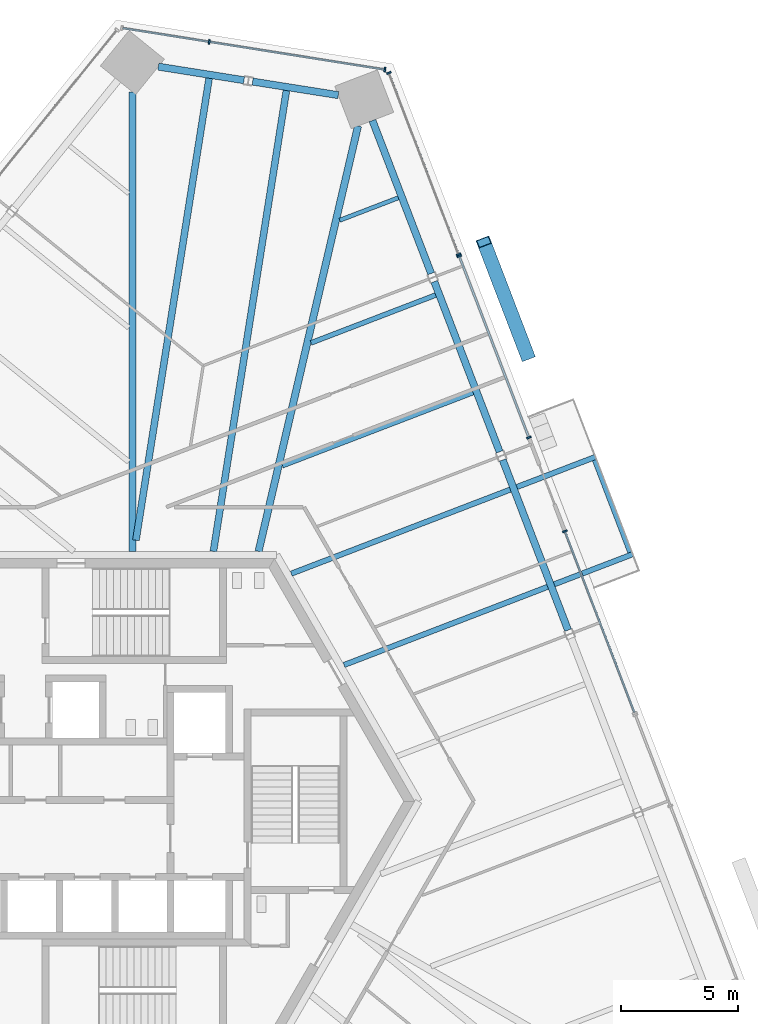
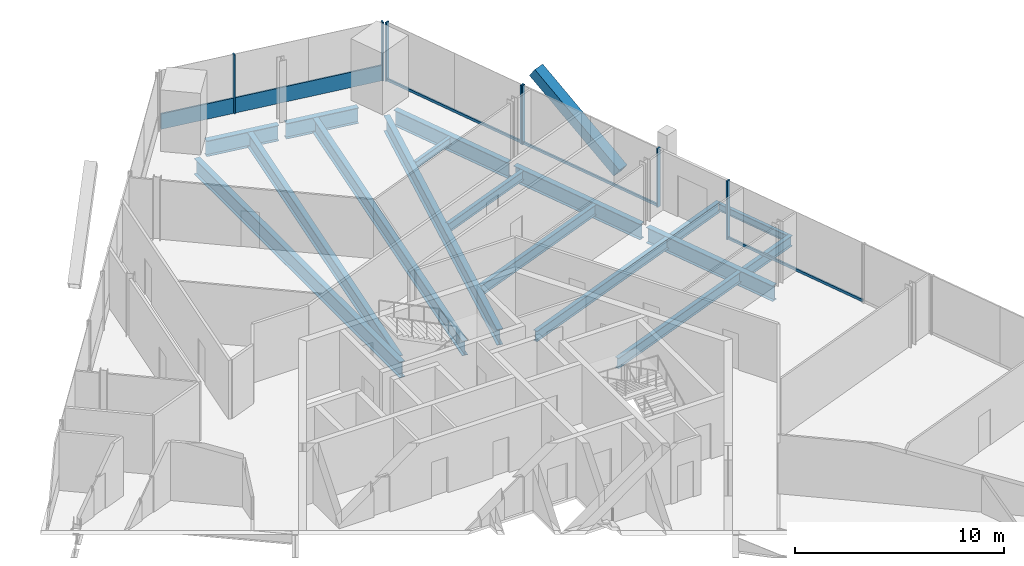
# One storey, part 9 of 19: 17 beams, 13 members, 4 elements without a shape of their own.
"""IFC4 building model written with IfcOpenShell, lengths in metres."""

import ifcopenshell
import ifcopenshell.guid

model = None  # the IFC model being written
_history = None  # IfcOwnerHistory: only IFC2X3 demands one
_inside = {}  # id of a spatial element -> (the spatial element, [elements in it])
_under = {}  # id of a project, library or spatial element -> (it, [spatial elements below it])
_declared = {}  # id of a project -> (the project, [libraries it declares])
_typed = {}  # id of a type object -> (the type object, [elements of that type])
_made_of = {}  # id of a material, layer set ... -> (it, [elements and type objects made of it])


def new_model(schema):
    """Start an empty IFC model of exactly this schema.

    Asked for "IFC4X3", IfcOpenShell would pick the latest addendum, in which some entities
    have other attributes; the version numbers below select the first issue.
    IFC2X3 requires an IfcOwnerHistory on every rooted entity: one is made here for all.
    """
    global model, _history
    if schema == "IFC4X3":
        model = ifcopenshell.file(schema_version=(4, 3, 0, 0))
    else:
        model = ifcopenshell.file(schema=schema)
    _inside.clear()
    _under.clear()
    _declared.clear()
    _typed.clear()
    _made_of.clear()
    _history = None
    if model.schema == "IFC2X3":
        org = make("IfcOrganization", Name="unknown")
        user = make(
            "IfcPersonAndOrganization",
            ThePerson=make("IfcPerson", FamilyName="unknown"),
            TheOrganization=org,
        )
        app = make(
            "IfcApplication",
            ApplicationDeveloper=org,
            Version="unknown",
            ApplicationFullName="unknown",
            ApplicationIdentifier="unknown",
        )
        _history = make(
            "IfcOwnerHistory",
            OwningUser=user,
            OwningApplication=app,
            ChangeAction="ADDED",
            CreationDate=0,
        )
    return model


def make(cls, **values):
    """One entity of the class cls with the attributes given. An attribute that is None is left unset."""
    return model.create_entity(
        cls, **{name: value for name, value in values.items() if value is not None}
    )


def rooted(cls, **values):
    """An entity with a GlobalId (a new one), such as an element, a storey or a relation."""
    return make(cls, GlobalId=ifcopenshell.guid.new(), OwnerHistory=_history, **values)


def si_unit(unit_type, name, prefix=None):
    """IfcSIUnit, for example si_unit("LENGTHUNIT", "METRE", prefix="MILLI")."""
    return make("IfcSIUnit", UnitType=unit_type, Prefix=prefix, Name=name)


def assignment(units):
    """IfcUnitAssignment: the units of a project."""
    return None if units is None else make("IfcUnitAssignment", Units=units)


def point(xyz):
    """IfcCartesianPoint."""
    return None if xyz is None else make("IfcCartesianPoint", Coordinates=xyz)


def direction(xyz):
    """IfcDirection."""
    return None if xyz is None else make("IfcDirection", DirectionRatios=xyz)


def frame(location, z_axis=None, x_axis=None):
    """IfcAxis2Placement3D, a coordinate frame: its origin and axes. An axis left out is left unset."""
    return make(
        "IfcAxis2Placement3D",
        Location=point(location),
        Axis=direction(z_axis),
        RefDirection=direction(x_axis),
    )


def frame_2d(location, x_axis=None):
    """IfcAxis2Placement2D, a coordinate frame in the plane: its origin and x axis."""
    return make(
        "IfcAxis2Placement2D", Location=point(location), RefDirection=direction(x_axis)
    )


def origin():
    """The frame at (0, 0, 0) with its axes left unset."""
    return frame((0.0, 0.0, 0.0))


def origin_2d():
    """The frame at (0, 0) in the plane with its x axis left unset."""
    return frame_2d((0.0, 0.0))


def place(relative_to, where):
    """IfcLocalPlacement: puts the frame where relative to a parent placement (None: the world)."""
    return make(
        "IfcLocalPlacement", PlacementRelTo=relative_to, RelativePlacement=where
    )


def context(
    kind, dimensions, precision=None, world=None, true_north=None, identifier=None
):
    """IfcGeometricRepresentationContext, for example the 3D "Model" context."""
    return make(
        "IfcGeometricRepresentationContext",
        ContextIdentifier=identifier,
        ContextType=kind,
        CoordinateSpaceDimension=dimensions,
        Precision=precision,
        WorldCoordinateSystem=world,
        TrueNorth=true_north,
    )


def subcontext(parent, identifier, kind, view, scale=None):
    """IfcGeometricRepresentationSubContext, for example "Body" below "Model"."""
    return make(
        "IfcGeometricRepresentationSubContext",
        ContextIdentifier=identifier,
        ContextType=kind,
        ParentContext=parent,
        TargetScale=scale,
        TargetView=view,
    )


def project(units=None, contexts=None):
    """IfcProject with its units and contexts."""
    return rooted(
        "IfcProject",
        Name="project",
        RepresentationContexts=contexts,
        UnitsInContext=assignment(units),
    )


def spatial(cls, under=None, at=None, **own):
    """A site, building, storey or space (cls), placed at a placement, below another one or the project."""
    s = rooted(cls, ObjectPlacement=at, **own)
    if under is not None:
        _under.setdefault(under.id(), (under, []))[1].append(s)
    return s


def profile(cls, at=None, kind="AREA", **sizes):
    """A parametric profile (cls). Its sizes go by their IFC names, for example OverallWidth=200.0."""
    return make(cls, ProfileType=kind, Position=at, **sizes)


def rectangle(**sizes):
    """IfcRectangleProfileDef."""
    return profile("IfcRectangleProfileDef", **sizes)


def hollow_rectangle(**sizes):
    """IfcRectangleHollowProfileDef."""
    return profile("IfcRectangleHollowProfileDef", **sizes)


def i_section(**sizes):
    """IfcIShapeProfileDef."""
    return profile("IfcIShapeProfileDef", **sizes)


def extrude(swept, where, along, depth):
    """IfcExtrudedAreaSolid: the profile swept, set in the frame where, extruded along a direction by depth."""
    return make(
        "IfcExtrudedAreaSolid",
        SweptArea=swept,
        Position=where,
        ExtrudedDirection=direction(along),
        Depth=depth,
    )


def shape(context_of_items, identifier, shape_type, items):
    """IfcShapeRepresentation: the items that make up one representation, for example the "Body"."""
    return make(
        "IfcShapeRepresentation",
        ContextOfItems=context_of_items,
        RepresentationIdentifier=identifier,
        RepresentationType=shape_type,
        Items=items,
    )


def source(mapping_origin, context_of_items, identifier, shape_type, items):
    """IfcRepresentationMap: a shape defined once, which mapped items show again and again."""
    return make(
        "IfcRepresentationMap",
        MappingOrigin=mapping_origin,
        MappedRepresentation=shape(context_of_items, identifier, shape_type, items),
    )


def transform(
    local_origin,
    x_axis=None,
    y_axis=None,
    z_axis=None,
    scale=None,
    scale2=None,
    scale3=None,
    uniform=True,
):
    """IfcCartesianTransformationOperator3D, or its non-uniform kind. x_axis, y_axis, z_axis: its Axis1, 2, 3."""
    if uniform:
        return make(
            "IfcCartesianTransformationOperator3D",
            Axis1=direction(x_axis),
            Axis2=direction(y_axis),
            LocalOrigin=point(local_origin),
            Scale=scale,
            Axis3=direction(z_axis),
        )
    return make(
        "IfcCartesianTransformationOperator3DnonUniform",
        Axis1=direction(x_axis),
        Axis2=direction(y_axis),
        LocalOrigin=point(local_origin),
        Scale=scale,
        Axis3=direction(z_axis),
        Scale2=scale2,
        Scale3=scale3,
    )


def mapped(mapping_source, mapping_target):
    """IfcMappedItem: shows the shape of a source again, moved by a transform."""
    return make(
        "IfcMappedItem", MappingSource=mapping_source, MappingTarget=mapping_target
    )


def material(Name=None, Category=None):
    """IfcMaterial."""
    return make("IfcMaterial", Name=Name, Category=Category)


def material_profile(
    of_material, cross_section, Name=None, Category=None, Priority=None
):
    """IfcMaterialProfile: a cross section and its material."""
    return make(
        "IfcMaterialProfile",
        Name=Name,
        Material=of_material,
        Profile=cross_section,
        Priority=Priority,
        Category=Category,
    )


def profile_set(profiles, Name=None, composite=None):
    """IfcMaterialProfileSet."""
    return make(
        "IfcMaterialProfileSet",
        Name=Name,
        MaterialProfiles=profiles,
        CompositeProfile=composite,
    )


def made_of(thing, what):
    """Note that an element or type object is made of a material, layer set ...; save() writes the relation."""
    if what is not None:
        _made_of.setdefault(what.id(), (what, []))[1].append(thing)
    return thing


def type_object(cls, material=None, **own):
    """A type object (cls), such as IfcWallType, which elements share."""
    return made_of(rooted(cls, **own), material)


def element(
    cls,
    number,
    at=None,
    inside=None,
    cuts=None,
    type_object=None,
    material=None,
    context=None,
    identifier="Body",
    shape_type=None,
    held_by="IfcProductDefinitionShape",
    body=None,
    shapes=None,
    **own,
):
    """One element of the class cls, such as IfcWall. Its Tag is "e" and its number.

    at: its placement. inside: the storey or other place that contains it. cuts: it is an
    opening in that element (IfcRelVoidsElement). A single representation is given by context,
    identifier, shape_type and body (its items); several are given by shapes. held_by: the class
    of the entity that holds the representations. save() writes the other relations.
    """
    e = rooted(cls, Tag="e%d" % number, ObjectPlacement=at, **own)
    if body is not None:
        shapes = [shape(context, identifier, shape_type, body)]
    if shapes is not None:
        e.Representation = make(held_by, Representations=shapes)
    if inside is not None:
        _inside.setdefault(inside.id(), (inside, []))[1].append(e)
    if cuts is not None:
        rooted(
            "IfcRelVoidsElement", RelatingBuildingElement=cuts, RelatedOpeningElement=e
        )
    if type_object is not None:
        _typed.setdefault(type_object.id(), (type_object, []))[1].append(e)
    return made_of(e, material)


def aggregate(whole, parts):
    """IfcRelAggregates: a whole, such as a stair, and the parts it consists of."""
    return rooted("IfcRelAggregates", RelatingObject=whole, RelatedObjects=parts)


def save(model, path):
    """Write the relations noted so far, then the file.

    IfcRelAggregates (storeys below a building ...), IfcRelContainedInSpatialStructure (elements
    in a storey), IfcRelDefinesByType, IfcRelAssociatesMaterial and IfcRelDeclares: one each for
    every whole, place, type object, material and project.
    """
    for whole, parts in _under.values():
        aggregate(whole, parts)
    for where, things in _inside.values():
        rooted(
            "IfcRelContainedInSpatialStructure",
            RelatedElements=things,
            RelatingStructure=where,
        )
    for kind, things in _typed.values():
        rooted("IfcRelDefinesByType", RelatedObjects=things, RelatingType=kind)
    for what, things in _made_of.values():
        rooted("IfcRelAssociatesMaterial", RelatedObjects=things, RelatingMaterial=what)
    for by, libraries in _declared.values():
        rooted("IfcRelDeclares", RelatingContext=by, RelatedDefinitions=libraries)
    model.write(path)


model = new_model("IFC4")

# Units and contexts
model_context = context("Model", 3, precision=1e-05, world=origin(), true_north=direction((0.0, 1.0)))
body_context = subcontext(model_context, "Body", "Model", "MODEL_VIEW")
ifc_project = project(units=[si_unit("LENGTHUNIT", "METRE"), si_unit("AREAUNIT", "SQUARE_METRE"), si_unit("VOLUMEUNIT", "CUBIC_METRE"), si_unit("PLANEANGLEUNIT", "RADIAN"), si_unit("MASSUNIT", "GRAM", prefix="KILO")], contexts=[model_context])

# Site, building, storey
site_placement = place(None, origin())
site = spatial("IfcSite", under=ifc_project, at=site_placement, CompositionType="ELEMENT")
building_placement = place(site_placement, origin())
building = spatial("IfcBuilding", under=site, at=building_placement, Name="Triune Harvest Tower", CompositionType="ELEMENT")
storey_placement = place(building_placement, frame((0.0, 0.0, 164.10009765625)))
storey = spatial("IfcBuildingStorey", under=building, at=storey_placement, Name="L42", CompositionType="ELEMENT", Elevation=164.10009765625)

# Beams
ifc_material_1 = material(Name="Steel ASTM A992 Gr 50", Category="steel")
ifc_material_profile_1 = material_profile(ifc_material_1, i_section(OverallWidth=0.3046875, OverallDepth=0.914306640625, WebThickness=0.0166015625, FlangeThickness=0.02587890625, at=origin_2d()), Name="W36x160")
ifc_profile_set_1 = profile_set([ifc_material_profile_1], Name="Steel ASTM A992 Gr 50")
beam_type_1 = type_object("IfcBeamType", Name="SB-1 Spandrel beam W36x160", PredefinedType="SPANDREL", material=ifc_profile_set_1)
shared_shape_1 = source(origin(), body_context, "Body", "SweptSolid", [
    extrude(i_section(OverallWidth=0.3046875, OverallDepth=0.914306640625, WebThickness=0.0166015625, FlangeThickness=0.02587890625, at=origin_2d()), origin(), (0.0, 0.0, 1.0), 7.013427734375),
])
beam_1_placement = place(storey_placement, frame((12.709716796875, 22.592041015625, -0.6171875), z_axis=(-0.358372513984, 0.93357867436, 0.0), x_axis=(-0.93357867436, -0.358372513984, 0.0)))
element("IfcBeam", 1, at=beam_1_placement, inside=storey, type_object=beam_type_1, Name="beam/L42/SB6", PredefinedType="SPANDREL", context=body_context, shape_type="MappedRepresentation", body=[
    mapped(shared_shape_1, transform((0.0, 0.0, 0.0), scale=1.0)),
])
shared_shape_2 = source(origin(), body_context, "Body", "SweptSolid", [
    extrude(i_section(OverallWidth=0.3046875, OverallDepth=0.914306640625, WebThickness=0.0166015625, FlangeThickness=0.02587890625, at=origin_2d()), origin(), (0.0, 0.0, 1.0), 7.8017578125),
])
for number, where, z_axis, x_axis, name in (
    (2, (18.569091796875, 7.327880859375, -0.6171875), (-0.358372974677, 0.933578497514, 0.0), (-0.933578497514, -0.358372974677, 0.0), "beam/L42/SB4"),
    (3, (15.639404296875, 14.9599609375, -0.6171875), (-0.358372974677, 0.933578497514, 0.0), (-0.933578497514, -0.358372974677, 0.0), "beam/L42/SB5"),
):
    element("IfcBeam", number, at=place(storey_placement, frame(where, z_axis=z_axis, x_axis=x_axis)), inside=storey, type_object=beam_type_1, Name=name, PredefinedType="SPANDREL", context=body_context, shape_type="MappedRepresentation", body=[
        mapped(shared_shape_2, transform((0.0, 0.0, 0.0), scale=1.0)),
    ])
shared_shape_3 = source(origin(), body_context, "Body", "SweptSolid", [
    extrude(i_section(OverallWidth=0.3046875, OverallDepth=0.914306640625, WebThickness=0.0166015625, FlangeThickness=0.02587890625, at=origin_2d()), origin(), (0.0, 0.0, 1.0), 3.71240234375),
])
for number, where, z_axis, x_axis, name in (
    (4, (8.735107421875, 30.225830078125, -0.6171875), (-0.987686063537, 0.156448841145, 0.0), (-0.156448841145, -0.987686063537, 0.0), "beam/L42/SB7"),
    (5, (4.699462890625, 30.864990234375, -0.6171875), (-0.987686063537, 0.156448841145, 0.0), (-0.156448841145, -0.987686063537, 0.0), "beam/L42/SB8"),
):
    element("IfcBeam", number, at=place(storey_placement, frame(where, z_axis=z_axis, x_axis=x_axis)), inside=storey, type_object=beam_type_1, Name=name, PredefinedType="SPANDREL", context=body_context, shape_type="MappedRepresentation", body=[
        mapped(shared_shape_3, transform((0.0, 0.0, 0.0), scale=1.0)),
    ])
ifc_material_2 = material(Name="Steel ASTM A992 Gr 50", Category="steel")
ifc_material_profile_2 = material_profile(ifc_material_2, i_section(OverallWidth=0.307373046875, OverallDepth=0.922119140625, WebThickness=0.018310546875, FlangeThickness=0.030029296875, at=origin_2d()), Name="W36x182")
ifc_profile_set_2 = profile_set([ifc_material_profile_2], Name="Steel ASTM A992 Gr 50")
beam_type_2 = type_object("IfcBeamType", Name="HG-2 Hip girder W36x182", PredefinedType="BEAM", material=ifc_profile_set_2)
shared_shape_4 = source(origin(), body_context, "Body", "SweptSolid", [
    extrude(i_section(OverallWidth=0.307373046875, OverallDepth=0.922119140625, WebThickness=0.018310546875, FlangeThickness=0.030029296875, at=origin_2d()), origin(), (0.0, 0.0, 1.0), 18.6962890625),
])
beam_2_placement = place(storey_placement, frame((9.578857421875, 28.902587890625, -0.62109375), z_axis=(-0.227605246905, -0.973753486043, 0.0), x_axis=(0.973753486043, -0.227605246905, 0.0)))
element("IfcBeam", 6, at=beam_2_placement, inside=storey, type_object=beam_type_2, Name="beam/L42/HG3", PredefinedType="BEAM", context=body_context, shape_type="MappedRepresentation", body=[
    mapped(shared_shape_4, transform((0.0, 0.0, 0.0), scale=1.0)),
])
shared_shape_5 = source(origin(), body_context, "Body", "SweptSolid", [
    extrude(i_section(OverallWidth=0.307373046875, OverallDepth=0.922119140625, WebThickness=0.018310546875, FlangeThickness=0.030029296875, at=origin_2d()), origin(), (0.0, 0.0, 1.0), 19.670166015625),
])
beam_3_placement = place(storey_placement, frame((-0.0791015625, 30.3671875, -0.62109375), z_axis=(0.0, -1.0, 0.0), x_axis=(1.0, 0.0, 0.0)))
element("IfcBeam", 7, at=beam_3_placement, inside=storey, type_object=beam_type_2, Name="beam/L42/HG4", PredefinedType="BEAM", context=body_context, shape_type="MappedRepresentation", body=[
    mapped(shared_shape_5, transform((0.0, 0.0, 0.0), scale=1.0)),
])
ifc_material_3 = material(Name="Steel ASTM A992 Gr 50", Category="steel")
ifc_material_profile_3 = material_profile(ifc_material_3, i_section(OverallWidth=0.22900390625, OverallDepth=0.612060546875, WebThickness=0.011962890625, FlangeThickness=0.01953125, at=origin_2d()), Name="W24x84")
ifc_profile_set_3 = profile_set([ifc_material_profile_3], Name="Steel ASTM A992 Gr 50")
beam_type_3 = type_object("IfcBeamType", Name="JT-3 Floor joist W24x84", PredefinedType="JOIST", material=ifc_profile_set_3)
shared_shape_6 = source(origin(), body_context, "Body", "SweptSolid", [
    extrude(i_section(OverallWidth=0.22900390625, OverallDepth=0.612060546875, WebThickness=0.011962890625, FlangeThickness=0.01953125, at=origin_2d()), origin(), (0.0, 0.0, 1.0), 9.33203125),
])
beam_4_placement = place(storey_placement, frame((17.694580078125, 9.180419921875, -0.46630859375), z_axis=(-0.933582072806, -0.358363660734, 0.0), x_axis=(0.358363660734, -0.933582072806, 0.0)))
element("IfcBeam", 8, at=beam_4_placement, inside=storey, type_object=beam_type_3, Name="beam/L42/JT6", PredefinedType="JOIST", context=body_context, shape_type="MappedRepresentation", body=[
    mapped(shared_shape_6, transform((0.0, 0.0, 0.0), scale=1.0)),
])
shared_shape_7 = source(origin(), body_context, "Body", "SweptSolid", [
    extrude(i_section(OverallWidth=0.22900390625, OverallDepth=0.612060546875, WebThickness=0.011962890625, FlangeThickness=0.01953125, at=origin_2d()), origin(), (0.0, 0.0, 1.0), 10.038330078125),
])
beam_5_placement = place(storey_placement, frame((16.0966796875, 13.343505859375, -0.46630859375), z_axis=(-0.933580465952, -0.358367846762, 0.0), x_axis=(0.358367846762, -0.933580465952, 0.0)))
element("IfcBeam", 9, at=beam_5_placement, inside=storey, type_object=beam_type_3, Name="beam/L42/JT7", PredefinedType="JOIST", context=body_context, shape_type="MappedRepresentation", body=[
    mapped(shared_shape_7, transform((0.0, 0.0, 0.0), scale=1.0)),
])
shared_shape_8 = source(origin(), body_context, "Body", "SweptSolid", [
    extrude(i_section(OverallWidth=0.22900390625, OverallDepth=0.612060546875, WebThickness=0.011962890625, FlangeThickness=0.01953125, at=origin_2d()), origin(), (0.0, 0.0, 1.0), 8.738037109375),
])
beam_6_placement = place(storey_placement, frame((14.498779296875, 17.50634765625, -0.46630859375), z_axis=(-0.933584472757, -0.358357408499, 0.0), x_axis=(0.358357408499, -0.933584472757, 0.0)))
element("IfcBeam", 10, at=beam_6_placement, inside=storey, type_object=beam_type_3, Name="beam/L42/JT8", PredefinedType="JOIST", context=body_context, shape_type="MappedRepresentation", body=[
    mapped(shared_shape_8, transform((0.0, 0.0, 0.0), scale=1.0)),
])
ifc_material_4 = material(Name="Steel ASTM A992 Gr 50", Category="steel")
ifc_material_profile_4 = material_profile(ifc_material_4, i_section(OverallWidth=0.2099609375, OverallDepth=0.535888671875, WebThickness=0.010986328125, FlangeThickness=0.017333984375, at=origin_2d()), Name="W21x68")
ifc_profile_set_4 = profile_set([ifc_material_profile_4], Name="Steel ASTM A992 Gr 50")
beam_type_4 = type_object("IfcBeamType", Name="JT-2 Floor joist W21x68", PredefinedType="JOIST", material=ifc_profile_set_4)
shared_shape_9 = source(origin(), body_context, "Body", "SweptSolid", [
    extrude(i_section(OverallWidth=0.2099609375, OverallDepth=0.535888671875, WebThickness=0.010986328125, FlangeThickness=0.017333984375, at=origin_2d()), origin(), (0.0, 0.0, 1.0), 5.712890625),
])
beam_7_placement = place(storey_placement, frame((12.90087890625, 21.669189453125, -0.427978515625), z_axis=(-0.933593203906, -0.358334661483, 0.0), x_axis=(0.358334661483, -0.933593203906, 0.0)))
element("IfcBeam", 11, at=beam_7_placement, inside=storey, type_object=beam_type_4, Name="beam/L42/JT9", PredefinedType="JOIST", context=body_context, shape_type="MappedRepresentation", body=[
    mapped(shared_shape_9, transform((0.0, 0.0, 0.0), scale=1.0)),
])
ifc_material_5 = material(Name="Steel ASTM A992 Gr 50", Category="steel")
ifc_material_profile_5 = material_profile(ifc_material_5, i_section(OverallWidth=0.180908203125, OverallDepth=0.41650390625, WebThickness=0.010986328125, FlangeThickness=0.01806640625, at=origin_2d()), Name="W16x57")
ifc_profile_set_5 = profile_set([ifc_material_profile_5], Name="Steel ASTM A992 Gr 50")
beam_type_5 = type_object("IfcBeamType", Name="JT-1 Floor joist W16x57", PredefinedType="JOIST", material=ifc_profile_set_5)
shared_shape_10 = source(origin(), body_context, "Body", "SweptSolid", [
    extrude(i_section(OverallWidth=0.180908203125, OverallDepth=0.41650390625, WebThickness=0.010986328125, FlangeThickness=0.01806640625, at=origin_2d()), origin(), (0.0, 0.0, 1.0), 2.687255859375),
])
beam_8_placement = place(storey_placement, frame((11.302734375, 25.832275390625, -0.368408203125), z_axis=(-0.933567867424, -0.358400665336, 0.0), x_axis=(0.358400665336, -0.933567867424, 0.0)))
element("IfcBeam", 12, at=beam_8_placement, inside=storey, type_object=beam_type_5, Name="beam/L42/JT10", PredefinedType="JOIST", context=body_context, shape_type="MappedRepresentation", body=[
    mapped(shared_shape_10, transform((0.0, 0.0, 0.0), scale=1.0)),
])
ifc_material_6 = material(Name="Steel ASTM A992 Gr 50", Category="steel")
ifc_material_profile_6 = material_profile(ifc_material_6, i_section(OverallWidth=0.2919921875, OverallDepth=0.8583984375, WebThickness=0.01708984375, FlangeThickness=0.031005859375, at=origin_2d()), Name="W33x169")
ifc_profile_set_6 = profile_set([ifc_material_profile_6], Name="Steel ASTM A992 Gr 50")
beam_type_6 = type_object("IfcBeamType", Name="JT-7 Floor joist W33x169", PredefinedType="JOIST", material=ifc_profile_set_6)
shared_shape_11 = source(origin(), body_context, "Body", "SweptSolid", [
    extrude(i_section(OverallWidth=0.2919921875, OverallDepth=0.8583984375, WebThickness=0.01708984375, FlangeThickness=0.031005859375, at=origin_2d()), origin(), (0.0, 0.0, 1.0), 19.97216796875),
])
beam_9_placement = place(storey_placement, frame((6.514404296875, 30.42333984375, -0.58935546875), z_axis=(-0.15643083518, -0.987688915502, 0.0), x_axis=(0.987688915502, -0.15643083518, 0.0)))
element("IfcBeam", 13, at=beam_9_placement, inside=storey, type_object=beam_type_6, Name="beam/L42/JT11", PredefinedType="JOIST", context=body_context, shape_type="MappedRepresentation", body=[
    mapped(shared_shape_11, transform((0.0, 0.0, 0.0), scale=1.0)),
])
shared_shape_12 = source(origin(), body_context, "Body", "SweptSolid", [
    extrude(i_section(OverallWidth=0.2919921875, OverallDepth=0.8583984375, WebThickness=0.01708984375, FlangeThickness=0.031005859375, at=origin_2d()), origin(), (0.0, 0.0, 1.0), 20.016845703125),
])
beam_10_placement = place(storey_placement, frame((3.205810546875, 30.947509765625, -0.58935546875), z_axis=(-0.156434798458, -0.987688287787, 0.0), x_axis=(0.987688287787, -0.156434798458, 0.0)))
element("IfcBeam", 14, at=beam_10_placement, inside=storey, type_object=beam_type_6, Name="beam/L42/JT12", PredefinedType="JOIST", context=body_context, shape_type="MappedRepresentation", body=[
    mapped(shared_shape_12, transform((0.0, 0.0, 0.0), scale=1.0)),
])

# Member
ifc_material_7 = material(Name="Steel ASTM A572 Gr 50", Category="steel")
ifc_material_profile_7 = material_profile(ifc_material_7, hollow_rectangle(XDim=0.60009765625, YDim=0.60009765625, WallThickness=0.0400390625, at=origin_2d()), Name="Box 600x600x40")
ifc_profile_set_7 = profile_set([ifc_material_profile_7], Name="Steel ASTM A572 Gr 50")
member_type_1 = type_object("IfcMemberType", Name="BR-2 Brace Box 600x600x40", PredefinedType="BRACE", material=ifc_profile_set_7)
shared_shape_13 = source(origin(), body_context, "Body", "SweptSolid", [
    extrude(hollow_rectangle(XDim=0.60009765625, YDim=0.60009765625, WallThickness=0.0400390625, at=origin_2d()), origin(), (0.0, 0.0, 1.0), 6.328857421875),
])
member_1_placement = place(storey_placement, frame((16.829833984375, 19.082763671875, 0.0), z_axis=(-0.294756015592, 0.767846942854, 0.568796944104), x_axis=(-0.933577501812, -0.358375568518, 0.0)))
element("IfcMember", 15, at=member_1_placement, inside=storey, type_object=member_type_1, Name="brace/B4-F1/d1/8", PredefinedType="BRACE", context=body_context, shape_type="MappedRepresentation", body=[
    mapped(shared_shape_13, transform((0.0, 0.0, 0.0), scale=1.0)),
])

# Curtain wall, members
ifc_material_8 = material(Name="Aluminium bronze anodised", Category="aluminium")
curtain_wall_type_1 = type_object("IfcCurtainWallType", Name="CW-1 Tower stick curtain wall", PredefinedType="NOTDEFINED", material=ifc_material_8)
curtain_wall_1_placement = place(storey_placement, origin())
curtain_wall_1 = element("IfcCurtainWall", 16, at=curtain_wall_1_placement, inside=storey, type_object=curtain_wall_type_1, Name="CW-1 B4-F2 L42 run 1")
ifc_material_9 = material(Name="Aluminium bronze anodised", Category="aluminium")
ifc_material_profile_8 = material_profile(ifc_material_9, rectangle(XDim=0.199951171875, YDim=0.074951171875, at=origin_2d()), Name="MU-1 mullion 75 x 200")
ifc_profile_set_8 = profile_set([ifc_material_profile_8], Name="Aluminium bronze anodised")
member_type_2 = type_object("IfcMemberType", Name="MU-1 mullion 75 x 200", PredefinedType="MULLION", material=ifc_profile_set_8)
shared_shape_14 = source(origin(), body_context, "Body", "SweptSolid", [
    extrude(rectangle(XDim=0.199951171875, YDim=0.074951171875, at=origin_2d()), origin(), (0.0, 0.0, 1.0), 3.43994140625),
])
member_2_placement = place(storey_placement, frame((10.730224609375, 31.31591796875, 0.0), z_axis=(0.0, 0.0, 1.0), x_axis=(-0.156432728322, -0.987688615663, 0.0)))
member_2 = element("IfcMember", 17, at=member_2_placement, type_object=member_type_2, Name="CW-1 mullion B4-F2 1.1", PredefinedType="MULLION", context=body_context, shape_type="MappedRepresentation", body=[
    mapped(shared_shape_14, transform((0.0, 0.0, 0.0), scale=1.0)),
])
member_3_placement = place(storey_placement, frame((3.21240234375, 32.506591796875, 0.0), z_axis=(0.0, 0.0, 1.0), x_axis=(-0.156432728322, -0.987688615663, 0.0)))
member_3 = element("IfcMember", 18, at=member_3_placement, type_object=member_type_2, Name="CW-1 mullion B4-F2 1.3", PredefinedType="MULLION", context=body_context, shape_type="MappedRepresentation", body=[
    mapped(shared_shape_14, transform((0.0, 0.0, 0.0), scale=1.0)),
])

# Curtain wall, member
ifc_material_10 = material(Name="Aluminium bronze anodised", Category="aluminium")
curtain_wall_type_2 = type_object("IfcCurtainWallType", Name="CW-6 Balcony window wall", PredefinedType="NOTDEFINED", material=ifc_material_10)
curtain_wall_2_placement = place(storey_placement, origin())
curtain_wall_2 = element("IfcCurtainWall", 19, at=curtain_wall_2_placement, inside=storey, type_object=curtain_wall_type_2, Name="CW-6 B4-F1 L42 run 2001")
ifc_material_11 = material(Name="Aluminium bronze anodised", Category="aluminium")
ifc_material_profile_9 = material_profile(ifc_material_11, rectangle(XDim=0.199951171875, YDim=0.074951171875, at=origin_2d()), Name="MU-6 mullion 75 x 200")
ifc_profile_set_9 = profile_set([ifc_material_profile_9], Name="Aluminium bronze anodised")
member_type_3 = type_object("IfcMemberType", Name="MU-6 mullion 75 x 200", PredefinedType="MULLION", material=ifc_profile_set_9)
shared_shape_15 = source(origin(), body_context, "Body", "SweptSolid", [
    extrude(rectangle(XDim=0.199951171875, YDim=0.074951171875, at=origin_2d()), origin(), (0.0, 0.0, 1.0), 3.43994140625),
])
member_4_placement = place(storey_placement, frame((18.433349609375, 11.55712890625, 0.0), z_axis=(0.0, 0.0, 1.0), x_axis=(-0.933578925755, -0.358371859088, 0.0)))
member_4 = element("IfcMember", 20, at=member_4_placement, type_object=member_type_3, Name="CW-6 mullion B4-F1 2001.3", PredefinedType="MULLION", context=body_context, shape_type="MappedRepresentation", body=[
    mapped(shared_shape_15, transform((0.0, 0.0, 0.0), scale=1.0)),
])

# Curtain wall, members
ifc_material_12 = material(Name="Aluminium bronze anodised", Category="aluminium")
curtain_wall_type_3 = type_object("IfcCurtainWallType", Name="CW-10 Balcony window wall with insulated spandrel infill", PredefinedType="NOTDEFINED", material=ifc_material_12)
curtain_wall_3_placement = place(storey_placement, origin())
curtain_wall_3 = element("IfcCurtainWall", 21, at=curtain_wall_3_placement, inside=storey, type_object=curtain_wall_type_3, Name="CW-10 B4-F1 L42 run 2")
member_5_placement = place(storey_placement, frame((16.8935546875, 15.56787109375, 0.0), z_axis=(0.0, 0.0, 1.0), x_axis=(-0.93358152986, -0.358365075175, 0.0)))
member_5 = element("IfcMember", 22, at=member_5_placement, type_object=member_type_3, Name="CW-10 mullion B4-F1 2.1", PredefinedType="MULLION", context=body_context, shape_type="MappedRepresentation", body=[
    mapped(shared_shape_15, transform((0.0, 0.0, 0.0), scale=1.0)),
])
member_6_placement = place(storey_placement, frame((13.9111328125, 23.33740234375, 0.0), z_axis=(0.0, 0.0, 1.0), x_axis=(-0.93358152986, -0.358365075175, 0.0)))
member_6 = element("IfcMember", 23, at=member_6_placement, type_object=member_type_3, Name="CW-10 mullion B4-F1 2.3", PredefinedType="MULLION", context=body_context, shape_type="MappedRepresentation", body=[
    mapped(shared_shape_15, transform((0.0, 0.0, 0.0), scale=1.0)),
])

curtain_wall_4_placement = place(storey_placement, origin())
curtain_wall_4 = element("IfcCurtainWall", 24, at=curtain_wall_4_placement, inside=storey, type_object=curtain_wall_type_2, Name="CW-6 B4-F1 L42 run 1002")
member_7_placement = place(storey_placement, frame((13.88427734375, 23.407470703125, 0.0), z_axis=(0.0, 0.0, 1.0), x_axis=(-0.933578307595, -0.358373469426, 0.0)))
member_7 = element("IfcMember", 25, at=member_7_placement, type_object=member_type_3, Name="CW-6 mullion B4-F1 1002.1", PredefinedType="MULLION", context=body_context, shape_type="MappedRepresentation", body=[
    mapped(shared_shape_15, transform((0.0, 0.0, 0.0), scale=1.0)),
])
member_8_placement = place(storey_placement, frame((10.90185546875, 31.177001953125, 0.0), z_axis=(0.0, 0.0, 1.0), x_axis=(-0.933578307595, -0.358373469426, 0.0)))
member_8 = element("IfcMember", 26, at=member_8_placement, type_object=member_type_3, Name="CW-6 mullion B4-F1 1002.3", PredefinedType="MULLION", context=body_context, shape_type="MappedRepresentation", body=[
    mapped(shared_shape_15, transform((0.0, 0.0, 0.0), scale=1.0)),
])

# Beams
ifc_material_13 = material(Name="Steel ASTM A992 Gr 50", Category="steel")
ifc_material_profile_10 = material_profile(ifc_material_13, i_section(OverallWidth=0.22900390625, OverallDepth=0.612060546875, WebThickness=0.011962890625, FlangeThickness=0.01953125, at=origin_2d()), Name="W24x84")
ifc_profile_set_10 = profile_set([ifc_material_profile_10], Name="Steel ASTM A992 Gr 50")
beam_type_7 = type_object("IfcBeamType", Name="BJ-3 Balcony cantilever joist W24x84", PredefinedType="JOIST", material=ifc_profile_set_10)
shared_shape_16 = source(origin(), body_context, "Body", "SweptSolid", [
    extrude(i_section(OverallWidth=0.22900390625, OverallDepth=0.612060546875, WebThickness=0.011962890625, FlangeThickness=0.01953125, at=origin_2d()), origin(), (0.0, 0.0, 1.0), 3.59765625),
])
beam_11_placement = place(storey_placement, frame((17.979248046875, 9.289794921875, -0.46630859375), z_axis=(0.933576283592, 0.358378741997, 0.0), x_axis=(-0.358378741997, 0.933576283592, 0.0)))
element("IfcBeam", 27, at=beam_11_placement, inside=storey, type_object=beam_type_7, Name="Balcony cantilever joist B4-F1 L42.8b", PredefinedType="JOIST", context=body_context, shape_type="MappedRepresentation", body=[
    mapped(shared_shape_16, transform((0.0, 0.0, 0.0), scale=1.0)),
])
shared_shape_17 = source(origin(), body_context, "Body", "SweptSolid", [
    extrude(i_section(OverallWidth=0.22900390625, OverallDepth=0.612060546875, WebThickness=0.011962890625, FlangeThickness=0.01953125, at=origin_2d()), origin(), (0.0, 0.0, 1.0), 3.597900390625),
])
beam_12_placement = place(storey_placement, frame((16.381103515625, 13.45263671875, -0.46630859375), z_axis=(0.93356229515, 0.358415179749, 0.0), x_axis=(-0.358415179749, 0.93356229515, 0.0)))
element("IfcBeam", 28, at=beam_12_placement, inside=storey, type_object=beam_type_7, Name="Balcony cantilever joist B4-F1 L42.8a", PredefinedType="JOIST", context=body_context, shape_type="MappedRepresentation", body=[
    mapped(shared_shape_17, transform((0.0, 0.0, 0.0), scale=1.0)),
])

# Member
ifc_material_14 = material(Name="Aluminium bronze anodised", Category="aluminium")
ifc_material_profile_11 = material_profile(ifc_material_14, rectangle(XDim=0.090087890625, YDim=0.89990234375, at=origin_2d()), Name="TR-1 transom 90 x 900")
ifc_profile_set_11 = profile_set([ifc_material_profile_11], Name="Aluminium bronze anodised")
member_type_4 = type_object("IfcMemberType", Name="TR-1 transom 90 x 900", PredefinedType="USERDEFINED", material=ifc_profile_set_11)
shared_shape_18 = source(origin(), body_context, "Body", "SweptSolid", [
    extrude(rectangle(XDim=0.090087890625, YDim=0.89990234375, at=origin_2d()), origin(), (0.0, 0.0, 1.0), 7.536376953125),
])
member_9_placement = place(storey_placement, frame((10.693115234375, 31.32177734375, 0.449951171875), z_axis=(-0.987688256511, 0.156434995923, 0.0), x_axis=(-0.156434995923, -0.987688256511, 0.0)))
member_9 = element("IfcMember", 29, at=member_9_placement, type_object=member_type_4, Name="CW-1 transom B4-F2 1.1", ObjectType="TRANSOM", PredefinedType="USERDEFINED", context=body_context, shape_type="MappedRepresentation", body=[
    mapped(shared_shape_18, transform((0.0, 0.0, 0.0), scale=1.0)),
])

shared_shape_19 = source(origin(), body_context, "Body", "SweptSolid", [
    extrude(rectangle(XDim=0.090087890625, YDim=0.89990234375, at=origin_2d()), origin(), (0.0, 0.0, 1.0), 3.7119140625),
])
member_10_placement = place(storey_placement, frame((3.17529296875, 32.512451171875, 0.449951171875), z_axis=(-0.987682843675, 0.156469167284, 0.0), x_axis=(-0.156469167284, -0.987682843675, 0.0)))
member_10 = element("IfcMember", 30, at=member_10_placement, type_object=member_type_4, Name="CW-1 transom B4-F2 1.2", ObjectType="TRANSOM", PredefinedType="USERDEFINED", context=body_context, shape_type="MappedRepresentation", body=[
    mapped(shared_shape_19, transform((0.0, 0.0, 0.0), scale=1.0)),
])

aggregate(curtain_wall_1, [member_2, member_3, member_9, member_10])

# Beam
ifc_material_15 = material(Name="Steel ASTM A992 Gr 50", Category="steel")
ifc_material_profile_12 = material_profile(ifc_material_15, i_section(OverallWidth=0.180908203125, OverallDepth=0.41650390625, WebThickness=0.010986328125, FlangeThickness=0.01806640625, at=origin_2d()), Name="W16x57")
ifc_profile_set_12 = profile_set([ifc_material_profile_12], Name="Steel ASTM A992 Gr 50")
beam_type_8 = type_object("IfcBeamType", Name="BE-1 balcony edge beam W16x57", PredefinedType="BEAM", material=ifc_profile_set_12)
shared_shape_20 = source(origin(), body_context, "Body", "SweptSolid", [
    extrude(i_section(OverallWidth=0.180908203125, OverallDepth=0.41650390625, WebThickness=0.010986328125, FlangeThickness=0.01806640625, at=origin_2d()), origin(), (0.0, 0.0, 1.0), 4.230224609375),
])
beam_13_placement = place(storey_placement, frame((19.696533203125, 14.602783203125, -0.368408203125), z_axis=(0.358348601672, -0.93358785322, 0.0), x_axis=(0.93358785322, 0.358348601672, 0.0)))
element("IfcBeam", 31, at=beam_13_placement, inside=storey, type_object=beam_type_8, Name="Balcony edge beam B4-F1 L42.8", PredefinedType="BEAM", context=body_context, shape_type="MappedRepresentation", body=[
    mapped(shared_shape_20, transform((0.0, 0.0, 0.0), scale=1.0)),
])

# Member
ifc_material_16 = material(Name="Aluminium bronze anodised", Category="aluminium")
ifc_material_profile_13 = material_profile(ifc_material_16, rectangle(XDim=0.090087890625, YDim=0.14990234375, at=origin_2d()), Name="TR-6 transom 90 x 150")
ifc_profile_set_13 = profile_set([ifc_material_profile_13], Name="Aluminium bronze anodised")
member_type_5 = type_object("IfcMemberType", Name="TR-6 transom 90 x 150", PredefinedType="USERDEFINED", material=ifc_profile_set_13)
shared_shape_21 = source(origin(), body_context, "Body", "SweptSolid", [
    extrude(rectangle(XDim=0.090087890625, YDim=0.14990234375, at=origin_2d()), origin(), (0.0, 0.0, 1.0), 8.2666015625),
])
member_11_placement = place(storey_placement, frame((21.4091796875, 3.8046875, 0.074951171875), z_axis=(-0.358359557803, 0.933583647742, 0.0), x_axis=(-0.933583647742, -0.358359557803, 0.0)))
member_11 = element("IfcMember", 32, at=member_11_placement, type_object=member_type_5, Name="CW-6 transom B4-F1 2001.1", ObjectType="TRANSOM", PredefinedType="USERDEFINED", context=body_context, shape_type="MappedRepresentation", body=[
    mapped(shared_shape_21, transform((0.0, 0.0, 0.0), scale=1.0)),
])

aggregate(curtain_wall_2, [member_4, member_11])

shared_shape_22 = source(origin(), body_context, "Body", "SweptSolid", [
    extrude(rectangle(XDim=0.090087890625, YDim=0.14990234375, at=origin_2d()), origin(), (0.0, 0.0, 1.0), 8.247314453125),
])
member_12_placement = place(storey_placement, frame((16.880126953125, 15.60302734375, 0.074951171875), z_axis=(-0.358370011733, 0.933579634895, 0.0), x_axis=(-0.933579634895, -0.358370011733, 0.0)))
member_12 = element("IfcMember", 33, at=member_12_placement, type_object=member_type_5, Name="CW-10 transom B4-F1 2.1", ObjectType="TRANSOM", PredefinedType="USERDEFINED", context=body_context, shape_type="MappedRepresentation", body=[
    mapped(shared_shape_22, transform((0.0, 0.0, 0.0), scale=1.0)),
])

aggregate(curtain_wall_3, [member_5, member_6, member_12])

shared_shape_23 = source(origin(), body_context, "Body", "SweptSolid", [
    extrude(rectangle(XDim=0.090087890625, YDim=0.14990234375, at=origin_2d()), origin(), (0.0, 0.0, 1.0), 8.2470703125),
])
member_13_placement = place(storey_placement, frame((13.870849609375, 23.442626953125, 0.074951171875), z_axis=(-0.358379916064, 0.933575832893, 0.0), x_axis=(-0.933575832893, -0.358379916064, 0.0)))
member_13 = element("IfcMember", 34, at=member_13_placement, type_object=member_type_5, Name="CW-6 transom B4-F1 1002.1", ObjectType="TRANSOM", PredefinedType="USERDEFINED", context=body_context, shape_type="MappedRepresentation", body=[
    mapped(shared_shape_23, transform((0.0, 0.0, 0.0), scale=1.0)),
])

aggregate(curtain_wall_4, [member_7, member_8, member_13])

save(model, "model.ifc")
